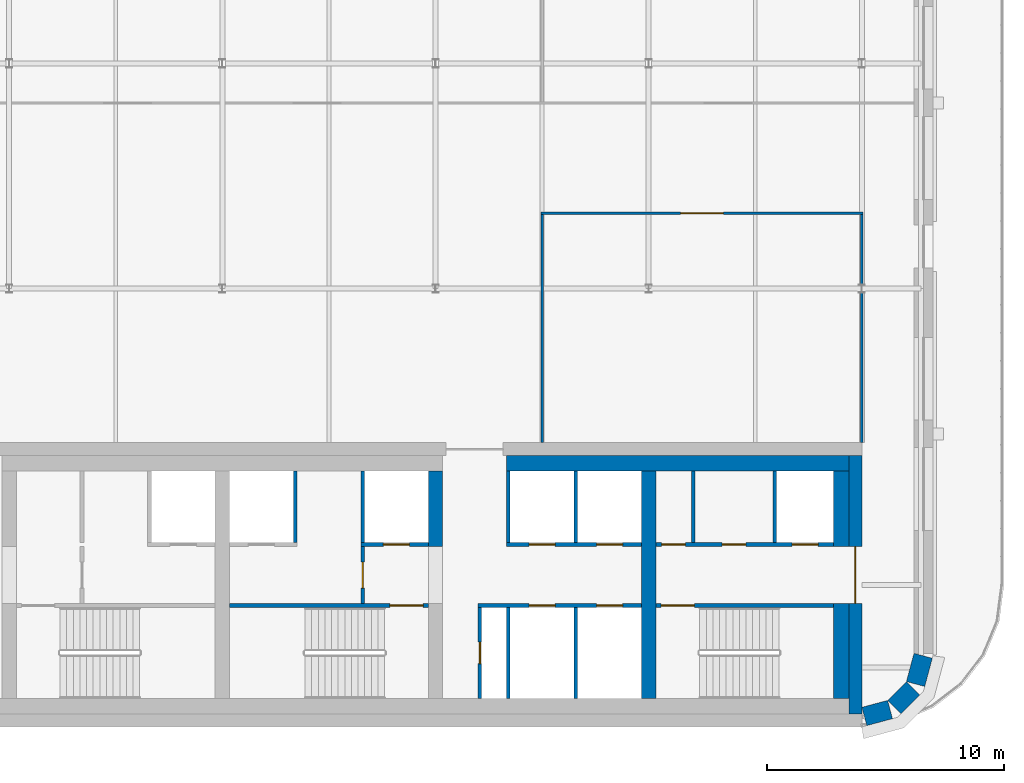
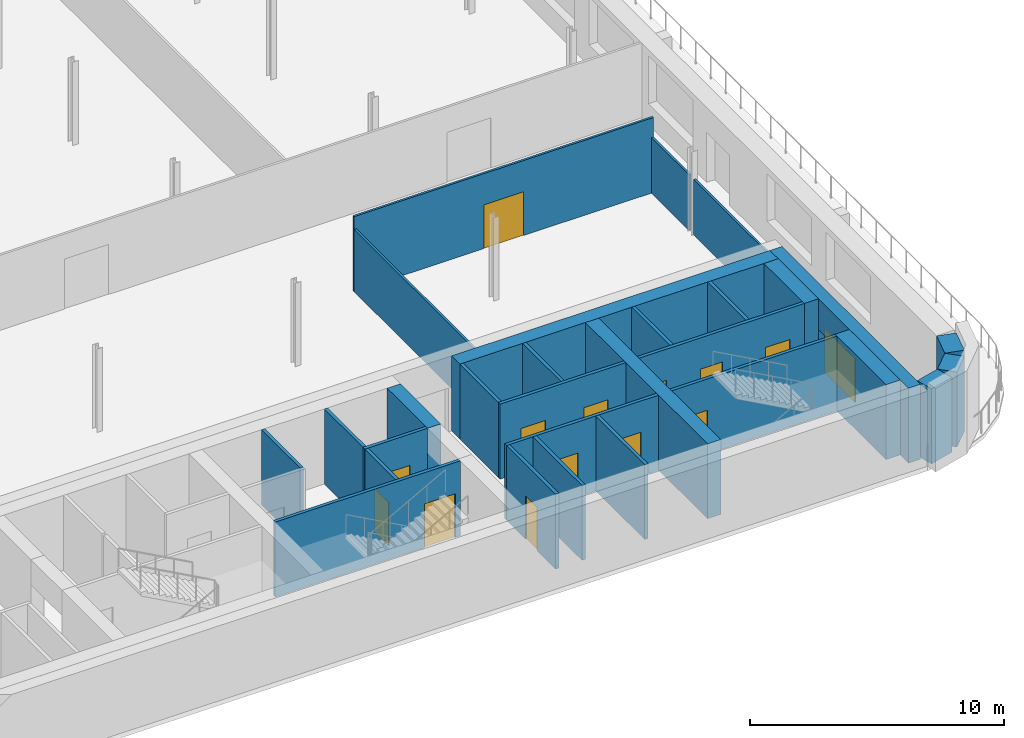
# One storey, part 8 of 13: 29 walls, 14 doors, 14 openings.
"""IFC4 building model written with IfcOpenShell, lengths in metres."""

import ifcopenshell
import ifcopenshell.guid

model = None  # the IFC model being written
_history = None  # IfcOwnerHistory: only IFC2X3 demands one
_inside = {}  # id of a spatial element -> (the spatial element, [elements in it])
_under = {}  # id of a project, library or spatial element -> (it, [spatial elements below it])
_declared = {}  # id of a project -> (the project, [libraries it declares])
_typed = {}  # id of a type object -> (the type object, [elements of that type])
_made_of = {}  # id of a material, layer set ... -> (it, [elements and type objects made of it])


def new_model(schema):
    """Start an empty IFC model of exactly this schema.

    Asked for "IFC4X3", IfcOpenShell would pick the latest addendum, in which some entities
    have other attributes; the version numbers below select the first issue.
    IFC2X3 requires an IfcOwnerHistory on every rooted entity: one is made here for all.
    """
    global model, _history
    if schema == "IFC4X3":
        model = ifcopenshell.file(schema_version=(4, 3, 0, 0))
    else:
        model = ifcopenshell.file(schema=schema)
    _inside.clear()
    _under.clear()
    _declared.clear()
    _typed.clear()
    _made_of.clear()
    _history = None
    if model.schema == "IFC2X3":
        org = make("IfcOrganization", Name="unknown")
        user = make(
            "IfcPersonAndOrganization",
            ThePerson=make("IfcPerson", FamilyName="unknown"),
            TheOrganization=org,
        )
        app = make(
            "IfcApplication",
            ApplicationDeveloper=org,
            Version="unknown",
            ApplicationFullName="unknown",
            ApplicationIdentifier="unknown",
        )
        _history = make(
            "IfcOwnerHistory",
            OwningUser=user,
            OwningApplication=app,
            ChangeAction="ADDED",
            CreationDate=0,
        )
    return model


def make(cls, **values):
    """One entity of the class cls with the attributes given. An attribute that is None is left unset."""
    return model.create_entity(
        cls, **{name: value for name, value in values.items() if value is not None}
    )


def rooted(cls, **values):
    """An entity with a GlobalId (a new one), such as an element, a storey or a relation."""
    return make(cls, GlobalId=ifcopenshell.guid.new(), OwnerHistory=_history, **values)


def si_unit(unit_type, name, prefix=None):
    """IfcSIUnit, for example si_unit("LENGTHUNIT", "METRE", prefix="MILLI")."""
    return make("IfcSIUnit", UnitType=unit_type, Prefix=prefix, Name=name)


def assignment(units):
    """IfcUnitAssignment: the units of a project."""
    return None if units is None else make("IfcUnitAssignment", Units=units)


def point(xyz):
    """IfcCartesianPoint."""
    return None if xyz is None else make("IfcCartesianPoint", Coordinates=xyz)


def direction(xyz):
    """IfcDirection."""
    return None if xyz is None else make("IfcDirection", DirectionRatios=xyz)


def frame(location, z_axis=None, x_axis=None):
    """IfcAxis2Placement3D, a coordinate frame: its origin and axes. An axis left out is left unset."""
    return make(
        "IfcAxis2Placement3D",
        Location=point(location),
        Axis=direction(z_axis),
        RefDirection=direction(x_axis),
    )


def frame_2d(location, x_axis=None):
    """IfcAxis2Placement2D, a coordinate frame in the plane: its origin and x axis."""
    return make(
        "IfcAxis2Placement2D", Location=point(location), RefDirection=direction(x_axis)
    )


def origin():
    """The frame at (0, 0, 0) with its axes left unset."""
    return frame((0.0, 0.0, 0.0))


def place(relative_to, where):
    """IfcLocalPlacement: puts the frame where relative to a parent placement (None: the world)."""
    return make(
        "IfcLocalPlacement", PlacementRelTo=relative_to, RelativePlacement=where
    )


def context(
    kind, dimensions, precision=None, world=None, true_north=None, identifier=None
):
    """IfcGeometricRepresentationContext, for example the 3D "Model" context."""
    return make(
        "IfcGeometricRepresentationContext",
        ContextIdentifier=identifier,
        ContextType=kind,
        CoordinateSpaceDimension=dimensions,
        Precision=precision,
        WorldCoordinateSystem=world,
        TrueNorth=true_north,
    )


def subcontext(parent, identifier, kind, view, scale=None):
    """IfcGeometricRepresentationSubContext, for example "Body" below "Model"."""
    return make(
        "IfcGeometricRepresentationSubContext",
        ContextIdentifier=identifier,
        ContextType=kind,
        ParentContext=parent,
        TargetScale=scale,
        TargetView=view,
    )


def project(units=None, contexts=None):
    """IfcProject with its units and contexts."""
    return rooted(
        "IfcProject",
        Name="project",
        RepresentationContexts=contexts,
        UnitsInContext=assignment(units),
    )


def spatial(cls, under=None, at=None, **own):
    """A site, building, storey or space (cls), placed at a placement, below another one or the project."""
    s = rooted(cls, ObjectPlacement=at, **own)
    if under is not None:
        _under.setdefault(under.id(), (under, []))[1].append(s)
    return s


def profile(cls, at=None, kind="AREA", **sizes):
    """A parametric profile (cls). Its sizes go by their IFC names, for example OverallWidth=200.0."""
    return make(cls, ProfileType=kind, Position=at, **sizes)


def rectangle(**sizes):
    """IfcRectangleProfileDef."""
    return profile("IfcRectangleProfileDef", **sizes)


def extrude(swept, where, along, depth):
    """IfcExtrudedAreaSolid: the profile swept, set in the frame where, extruded along a direction by depth."""
    return make(
        "IfcExtrudedAreaSolid",
        SweptArea=swept,
        Position=where,
        ExtrudedDirection=direction(along),
        Depth=depth,
    )


def shape(context_of_items, identifier, shape_type, items):
    """IfcShapeRepresentation: the items that make up one representation, for example the "Body"."""
    return make(
        "IfcShapeRepresentation",
        ContextOfItems=context_of_items,
        RepresentationIdentifier=identifier,
        RepresentationType=shape_type,
        Items=items,
    )


def material(Name=None, Category=None):
    """IfcMaterial."""
    return make("IfcMaterial", Name=Name, Category=Category)


def layer(
    of_material, thickness, ventilated=None, Name=None, Category=None, Priority=None
):
    """IfcMaterialLayer: one layer of a wall or slab, of a material (None: an air gap)."""
    return make(
        "IfcMaterialLayer",
        Material=of_material,
        LayerThickness=thickness,
        IsVentilated=ventilated,
        Name=Name,
        Category=Category,
        Priority=Priority,
    )


def layer_set(layers, Name=None):
    """IfcMaterialLayerSet."""
    return make("IfcMaterialLayerSet", MaterialLayers=layers, LayerSetName=Name)


def made_of(thing, what):
    """Note that an element or type object is made of a material, layer set ...; save() writes the relation."""
    if what is not None:
        _made_of.setdefault(what.id(), (what, []))[1].append(thing)
    return thing


def type_object(cls, material=None, **own):
    """A type object (cls), such as IfcWallType, which elements share."""
    return made_of(rooted(cls, **own), material)


def element(
    cls,
    number,
    at=None,
    inside=None,
    cuts=None,
    type_object=None,
    material=None,
    context=None,
    identifier="Body",
    shape_type=None,
    held_by="IfcProductDefinitionShape",
    body=None,
    shapes=None,
    **own,
):
    """One element of the class cls, such as IfcWall. Its Tag is "e" and its number.

    at: its placement. inside: the storey or other place that contains it. cuts: it is an
    opening in that element (IfcRelVoidsElement). A single representation is given by context,
    identifier, shape_type and body (its items); several are given by shapes. held_by: the class
    of the entity that holds the representations. save() writes the other relations.
    """
    e = rooted(cls, Tag="e%d" % number, ObjectPlacement=at, **own)
    if body is not None:
        shapes = [shape(context, identifier, shape_type, body)]
    if shapes is not None:
        e.Representation = make(held_by, Representations=shapes)
    if inside is not None:
        _inside.setdefault(inside.id(), (inside, []))[1].append(e)
    if cuts is not None:
        rooted(
            "IfcRelVoidsElement", RelatingBuildingElement=cuts, RelatedOpeningElement=e
        )
    if type_object is not None:
        _typed.setdefault(type_object.id(), (type_object, []))[1].append(e)
    return made_of(e, material)


def fill(opening, filler):
    """IfcRelFillsElement: the door or window that sits in an opening."""
    return rooted(
        "IfcRelFillsElement",
        RelatingOpeningElement=opening,
        RelatedBuildingElement=filler,
    )


def aggregate(whole, parts):
    """IfcRelAggregates: a whole, such as a stair, and the parts it consists of."""
    return rooted("IfcRelAggregates", RelatingObject=whole, RelatedObjects=parts)


def save(model, path):
    """Write the relations noted so far, then the file.

    IfcRelAggregates (storeys below a building ...), IfcRelContainedInSpatialStructure (elements
    in a storey), IfcRelDefinesByType, IfcRelAssociatesMaterial and IfcRelDeclares: one each for
    every whole, place, type object, material and project.
    """
    for whole, parts in _under.values():
        aggregate(whole, parts)
    for where, things in _inside.values():
        rooted(
            "IfcRelContainedInSpatialStructure",
            RelatedElements=things,
            RelatingStructure=where,
        )
    for kind, things in _typed.values():
        rooted("IfcRelDefinesByType", RelatedObjects=things, RelatingType=kind)
    for what, things in _made_of.values():
        rooted("IfcRelAssociatesMaterial", RelatedObjects=things, RelatingMaterial=what)
    for by, libraries in _declared.values():
        rooted("IfcRelDeclares", RelatingContext=by, RelatedDefinitions=libraries)
    model.write(path)


model = new_model("IFC4")

# Units and contexts
model_context = context("Model", 3, precision=1e-05, world=origin(), true_north=direction((0.0, 1.0)))
body_context = subcontext(model_context, "Body", "Model", "MODEL_VIEW")
ifc_project = project(units=[si_unit("LENGTHUNIT", "METRE"), si_unit("AREAUNIT", "SQUARE_METRE"), si_unit("VOLUMEUNIT", "CUBIC_METRE"), si_unit("PLANEANGLEUNIT", "RADIAN"), si_unit("MASSUNIT", "GRAM", prefix="KILO")], contexts=[model_context])

# Site, building, storey
site_placement = place(None, origin())
site = spatial("IfcSite", under=ifc_project, at=site_placement, CompositionType="ELEMENT")
building_placement = place(site_placement, origin())
building = spatial("IfcBuilding", under=site, at=building_placement, Name="Zellij Exchange Tower", CompositionType="ELEMENT")
storey_placement = place(building_placement, frame((0.0, 0.0, 292.5)))
storey = spatial("IfcBuildingStorey", under=building, at=storey_placement, Name="L69", CompositionType="ELEMENT", Elevation=292.5)

# Walls
ifc_material_1 = material(Name="Concrete C50/60", Category="concrete")
ifc_layer_1 = layer(ifc_material_1, 0.60009765625)
ifc_layer_set_1 = layer_set([ifc_layer_1], Name="Concrete C50/60")
wall_type_1 = type_object("IfcWallType", Name="CORE-CW 600 C50/60", PredefinedType="SHEAR", material=ifc_layer_set_1)
wall_1_placement = place(storey_placement, frame((9.0, -6.375, 0.0), z_axis=(0.0, 0.0, 1.0), x_axis=(0.0, 1.0, 0.0)))
element("IfcWall", 1, at=wall_1_placement, inside=storey, type_object=wall_type_1, Name="Core cross wall pier x 9 b L69", PredefinedType="SHEAR", context=body_context, shape_type="SweptSolid", body=[
    extrude(rectangle(XDim=3.175048828125, YDim=0.60009765625, at=frame_2d((1.58740234375, 0.0))), origin(), (0.0, 0.0, 1.0), 3.60009765625),
])
wall_2_placement = place(storey_placement, frame((18.0, -12.800048828125, 0.0), z_axis=(0.0, 0.0, 1.0), x_axis=(0.0, 1.0, 0.0)))
element("IfcWall", 2, at=wall_2_placement, inside=storey, type_object=wall_type_1, Name="Core cross wall x 18 L69", PredefinedType="SHEAR", context=body_context, shape_type="SweptSolid", body=[
    extrude(rectangle(XDim=9.60009765625, YDim=0.60009765625, at=frame_2d((4.800048828125, 0.0))), origin(), (0.0, 0.0, 1.0), 3.60009765625),
])
ifc_material_2 = material(Name="Concrete C30/37", Category="concrete")
ifc_layer_2 = layer(ifc_material_2, 0.64990234375)
ifc_layer_set_2 = layer_set([ifc_layer_2], Name="Concrete C30/37")
wall_type_2 = type_object("IfcWallType", Name="CORE-LW 650 C30/37", PredefinedType="SHEAR", material=ifc_layer_set_2)
wall_3_placement = place(storey_placement, frame((12.0, -2.875, 0.0), z_axis=(0.0, 0.0, 1.0), x_axis=(1.0, 0.0, 0.0)))
element("IfcWall", 3, at=wall_3_placement, inside=storey, type_object=wall_type_2, Name="Core wall lining front.2 L69", PredefinedType="SHEAR", context=body_context, shape_type="SweptSolid", body=[
    extrude(rectangle(XDim=14.449951171875, YDim=0.64990234375, at=frame_2d((7.22509765625, 0.0))), origin(), (0.0, 0.0, 1.0), 3.60009765625),
])
wall_4_placement = place(storey_placement, frame((26.125, -12.800048828125, 0.0), z_axis=(0.0, 0.0, 1.0), x_axis=(0.0, 1.0, 0.0)))
element("IfcWall", 4, at=wall_4_placement, inside=storey, type_object=wall_type_2, Name="Core wall lining end e.0 L69", PredefinedType="SHEAR", context=body_context, shape_type="SweptSolid", body=[
    extrude(rectangle(XDim=4.0, YDim=0.64990234375, at=frame_2d((2.0, 0.0))), origin(), (0.0, 0.0, 1.0), 3.60009765625),
])
wall_5_placement = place(storey_placement, frame((26.125, -6.375, 0.0), z_axis=(0.0, 0.0, 1.0), x_axis=(0.0, 1.0, 0.0)))
element("IfcWall", 5, at=wall_5_placement, inside=storey, type_object=wall_type_2, Name="Core wall lining end e.1 L69", PredefinedType="SHEAR", context=body_context, shape_type="SweptSolid", body=[
    extrude(rectangle(XDim=3.175048828125, YDim=0.64990234375, at=frame_2d((1.58740234375, 0.0))), origin(), (0.0, 0.0, 1.0), 3.60009765625),
])

# Wall, opening, door
ifc_material_3 = material(Name="Gypsum shaft wall system")
ifc_layer_3 = layer(ifc_material_3, 0.14990234375)
ifc_layer_set_3 = layer_set([ifc_layer_3], Name="Gypsum shaft wall system")
wall_type_3 = type_object("IfcWallType", Name="CORE-PW 150 Firefighting lobby wall", PredefinedType="PARTITIONING", material=ifc_layer_set_3)
wall_6_placement = place(storey_placement, frame((5.925048828125, -8.800048828125, 0.0), z_axis=(0.0, 0.0, 1.0), x_axis=(0.0, 1.0, 0.0)))
wall_6 = element("IfcWall", 6, at=wall_6_placement, inside=storey, type_object=wall_type_3, Name="Firefighting lobby wall L69", PredefinedType="PARTITIONING", context=body_context, shape_type="SweptSolid", body=[
    extrude(rectangle(XDim=2.425048828125, YDim=0.14990234375, at=frame_2d((1.21240234375, 0.0))), origin(), (0.0, 0.0, 1.0), 3.60009765625),
])
opening_1_placement = place(wall_6_placement, frame((0.662109375, 0.0, 0.0)))
opening_1 = element("IfcOpeningElement", 7, at=opening_1_placement, cuts=wall_6, Name="Opening CA-36.13", PredefinedType="OPENING", context=body_context, shape_type="SweptSolid", body=[
    extrude(rectangle(XDim=1.10009765625, YDim=2.10009765625, at=frame_2d((0.550048828125, 1.050048828125))), frame((0.0, 0.0869140625, 0.0), z_axis=(0.0, -1.0, 0.0), x_axis=(1.0, 0.0, 0.0)), (0.0, 0.0, 1.0), 0.173828125),
])
ifc_material_4 = material(Name="Hollow metal fire door")
door_type_1 = type_object("IfcDoorType", Name="CORE-D F Firefighting lobby door 1100x2100 1 HR", OperationType="NOTDEFINED", PredefinedType="DOOR", material=ifc_material_4)
door_1_placement = place(opening_1_placement, origin())
door_1 = element("IfcDoor", 8, at=door_1_placement, inside=storey, type_object=door_type_1, Name="Firefighting lobby door CA-36.13", OperationType="SINGLE_SWING_RIGHT", OverallHeight=2.10009765625, OverallWidth=1.10009765625, PredefinedType="DOOR", context=body_context, shape_type="SweptSolid", body=[
    extrude(rectangle(XDim=1.10009765625, YDim=2.10009765625, at=frame_2d((0.550048828125, 1.050048828125))), frame((0.0, 0.02490234375, 0.0), z_axis=(0.0, -1.0, 0.0), x_axis=(1.0, 0.0, 0.0)), (0.0, 0.0, 1.0), 0.050048828125),
])
fill(opening_1, door_1)

# Wall
ifc_material_5 = material(Name="Gypsum board partition")
ifc_layer_4 = layer(ifc_material_5, 0.14990234375)
ifc_layer_set_4 = layer_set([ifc_layer_4], Name="Gypsum board partition")
wall_type_4 = type_object("IfcWallType", Name="CORE-PW 150 Lift lobby wall", PredefinedType="PARTITIONING", material=ifc_layer_set_4)
wall_7_placement = place(storey_placement, frame((19.875, -6.22509765625, 0.0), z_axis=(0.0, 0.0, 1.0), x_axis=(0.0, 1.0, 0.0)))
element("IfcWall", 9, at=wall_7_placement, inside=storey, type_object=wall_type_4, Name="Lift lobby wall L69", PredefinedType="PARTITIONING", context=body_context, shape_type="SweptSolid", body=[
    extrude(rectangle(XDim=3.025146484375, YDim=0.14990234375, at=frame_2d((1.5126953125, 0.0))), origin(), (0.0, 0.0, 1.0), 3.60009765625),
])

# Wall, opening, door
wall_8_placement = place(storey_placement, frame((10.875, -12.800048828125, 0.0), z_axis=(0.0, 0.0, 1.0), x_axis=(0.0, 1.0, 0.0)))
wall_8 = element("IfcWall", 10, at=wall_8_placement, inside=storey, type_object=wall_type_4, Name="Lift lobby wall L69", PredefinedType="PARTITIONING", context=body_context, shape_type="SweptSolid", body=[
    extrude(rectangle(XDim=3.85009765625, YDim=0.14990234375, at=frame_2d((1.925048828125, 0.0))), origin(), (0.0, 0.0, 1.0), 3.60009765625),
])
opening_2_placement = place(wall_8_placement, frame((1.47509765625, 0.0, 0.0)))
opening_2 = element("IfcOpeningElement", 11, at=opening_2_placement, cuts=wall_8, Name="Opening CA-36.17", PredefinedType="OPENING", context=body_context, shape_type="SweptSolid", body=[
    extrude(rectangle(XDim=0.89990234375, YDim=2.10009765625, at=frame_2d((0.449951171875, 1.050048828125))), frame((0.0, 0.0869140625, 0.0), z_axis=(0.0, -1.0, 0.0), x_axis=(1.0, 0.0, 0.0)), (0.0, 0.0, 1.0), 0.173828125),
])
door_type_2 = type_object("IfcDoorType", Name="CORE-D RD Riser door 900x2100 1.5 HR", OperationType="NOTDEFINED", PredefinedType="DOOR", material=ifc_material_4)
door_2_placement = place(opening_2_placement, origin())
door_2 = element("IfcDoor", 12, at=door_2_placement, inside=storey, type_object=door_type_2, Name="Riser door CA-36.17", OperationType="SINGLE_SWING_LEFT", OverallHeight=2.10009765625, OverallWidth=0.89990234375, PredefinedType="DOOR", context=body_context, shape_type="SweptSolid", body=[
    extrude(rectangle(XDim=0.89990234375, YDim=2.10009765625, at=frame_2d((0.449951171875, 1.050048828125))), frame((0.0, 0.02490234375, 0.0), z_axis=(0.0, -1.0, 0.0), x_axis=(1.0, 0.0, 0.0)), (0.0, 0.0, 1.0), 0.050048828125),
])
fill(opening_2, door_2)

# Walls
ifc_layer_5 = layer(ifc_material_3, 0.14990234375)
ifc_layer_set_5 = layer_set([ifc_layer_5], Name="Gypsum shaft wall system")
wall_type_5 = type_object("IfcWallType", Name="CORE-PW 150 Lift shaft wall", PredefinedType="PARTITIONING", material=ifc_layer_set_5)
for number, where, z_axis, x_axis, name in (
    (13, (3.074951171875, -6.22509765625, 0.0), (0.0, 0.0, 1.0), (0.0, 1.0, 0.0), "Lift shaft wall L69"),
    (14, (5.925048828125, -6.22509765625, 0.0), (0.0, 0.0, 1.0), (0.0, 1.0, 0.0), "Lift shaft wall L69"),
    (15, (12.074951171875, -6.22509765625, 0.0), (0.0, 0.0, 1.0), (0.0, 1.0, 0.0), "Lift shaft wall L69"),
    (16, (14.925048828125, -6.22509765625, 0.0), (0.0, 0.0, 1.0), (0.0, 1.0, 0.0), "Lift shaft wall L69"),
    (17, (23.324951171875, -6.22509765625, 0.0), (0.0, 0.0, 1.0), (0.0, 1.0, 0.0), "Lift shaft wall L69"),
):
    element("IfcWall", number, at=place(storey_placement, frame(where, z_axis=z_axis, x_axis=x_axis)), inside=storey, type_object=wall_type_5, Name=name, PredefinedType="PARTITIONING", context=body_context, shape_type="SweptSolid", body=[
        extrude(rectangle(XDim=3.025146484375, YDim=0.14990234375, at=frame_2d((1.5126953125, 0.0))), origin(), (0.0, 0.0, 1.0), 3.60009765625),
    ])
for number, where, z_axis, x_axis, name in (
    (18, (12.074951171875, -12.800048828125, 0.0), (0.0, 0.0, 1.0), (0.0, 1.0, 0.0), "Lift shaft wall L69"),
    (19, (14.925048828125, -12.800048828125, 0.0), (0.0, 0.0, 1.0), (0.0, 1.0, 0.0), "Lift shaft wall L69"),
):
    element("IfcWall", number, at=place(storey_placement, frame(where, z_axis=z_axis, x_axis=x_axis)), inside=storey, type_object=wall_type_5, Name=name, PredefinedType="PARTITIONING", context=body_context, shape_type="SweptSolid", body=[
        extrude(rectangle(XDim=3.85009765625, YDim=0.14990234375, at=frame_2d((1.925048828125, 0.0))), origin(), (0.0, 0.0, 1.0), 3.60009765625),
    ])

# Wall, opening, door
wall_9_placement = place(storey_placement, frame((5.85009765625, -6.300048828125, 0.0), z_axis=(0.0, 0.0, 1.0), x_axis=(1.0, 0.0, 0.0)))
wall_9 = element("IfcWall", 20, at=wall_9_placement, inside=storey, type_object=wall_type_5, Name="Lift shaft wall L69", PredefinedType="PARTITIONING", context=body_context, shape_type="SweptSolid", body=[
    extrude(rectangle(XDim=2.849853515625, YDim=0.14990234375, at=frame_2d((1.4248046875, 0.0))), origin(), (0.0, 0.0, 1.0), 3.60009765625),
])
opening_3_placement = place(wall_9_placement, frame((0.949951171875, 0.0, 0.0)))
opening_3 = element("IfcOpeningElement", 21, at=opening_3_placement, cuts=wall_9, Name="Opening CA-36.14", PredefinedType="OPENING", context=body_context, shape_type="SweptSolid", body=[
    extrude(rectangle(XDim=1.10009765625, YDim=2.10009765625, at=frame_2d((0.550048828125, 1.050048828125))), frame((0.0, 0.0869140625, 0.0), z_axis=(0.0, -1.0, 0.0), x_axis=(1.0, 0.0, 0.0)), (0.0, 0.0, 1.0), 0.173828125),
])
door_type_3 = type_object("IfcDoorType", Name="CORE-D LD Lift landing door 1100x2100 1.5 HR", OperationType="NOTDEFINED", PredefinedType="DOOR", material=ifc_material_4)
door_3_placement = place(opening_3_placement, origin())
door_3 = element("IfcDoor", 22, at=door_3_placement, inside=storey, type_object=door_type_3, Name="Lift landing door CA-36.14", OperationType="SLIDING_TO_RIGHT", OverallHeight=2.10009765625, OverallWidth=1.10009765625, PredefinedType="DOOR", context=body_context, shape_type="SweptSolid", body=[
    extrude(rectangle(XDim=1.10009765625, YDim=2.10009765625, at=frame_2d((0.550048828125, 1.050048828125))), frame((0.0, 0.02490234375, 0.0), z_axis=(0.0, -1.0, 0.0), x_axis=(1.0, 0.0, 0.0)), (0.0, 0.0, 1.0), 0.050048828125),
])
fill(opening_3, door_3)

# Wall, openings, doors
wall_10_placement = place(storey_placement, frame((12.0, -6.300048828125, 0.0), z_axis=(0.0, 0.0, 1.0), x_axis=(1.0, 0.0, 0.0)))
wall_10 = element("IfcWall", 23, at=wall_10_placement, inside=storey, type_object=wall_type_5, Name="Lift shaft wall L69", PredefinedType="PARTITIONING", context=body_context, shape_type="SweptSolid", body=[
    extrude(rectangle(XDim=5.699951171875, YDim=0.14990234375, at=frame_2d((2.85009765625, 0.0))), origin(), (0.0, 0.0, 1.0), 3.60009765625),
])
opening_4_placement = place(wall_10_placement, frame((0.949951171875, 0.0, 0.0)))
opening_4 = element("IfcOpeningElement", 24, at=opening_4_placement, cuts=wall_10, Name="Opening CA-36.19", PredefinedType="OPENING", context=body_context, shape_type="SweptSolid", body=[
    extrude(rectangle(XDim=1.10009765625, YDim=2.10009765625, at=frame_2d((0.550048828125, 1.050048828125))), frame((0.0, 0.0869140625, 0.0), z_axis=(0.0, -1.0, 0.0), x_axis=(1.0, 0.0, 0.0)), (0.0, 0.0, 1.0), 0.173828125),
])
opening_5_placement = place(wall_10_placement, frame((3.800048828125, 0.0, 0.0)))
opening_5 = element("IfcOpeningElement", 25, at=opening_5_placement, cuts=wall_10, Name="Opening CA-36.21", PredefinedType="OPENING", context=body_context, shape_type="SweptSolid", body=[
    extrude(rectangle(XDim=1.10009765625, YDim=2.10009765625, at=frame_2d((0.550048828125, 1.050048828125))), frame((0.0, 0.0869140625, 0.0), z_axis=(0.0, -1.0, 0.0), x_axis=(1.0, 0.0, 0.0)), (0.0, 0.0, 1.0), 0.173828125),
])
door_4_placement = place(opening_4_placement, origin())
door_4 = element("IfcDoor", 26, at=door_4_placement, inside=storey, type_object=door_type_3, Name="Lift landing door CA-36.19", OperationType="SLIDING_TO_LEFT", OverallHeight=2.10009765625, OverallWidth=1.10009765625, PredefinedType="DOOR", context=body_context, shape_type="SweptSolid", body=[
    extrude(rectangle(XDim=1.10009765625, YDim=2.10009765625, at=frame_2d((0.550048828125, 1.050048828125))), frame((0.0, 0.02490234375, 0.0), z_axis=(0.0, -1.0, 0.0), x_axis=(1.0, 0.0, 0.0)), (0.0, 0.0, 1.0), 0.050048828125),
])
fill(opening_4, door_4)
door_5_placement = place(opening_5_placement, origin())
door_5 = element("IfcDoor", 27, at=door_5_placement, inside=storey, type_object=door_type_3, Name="Lift landing door CA-36.21", OperationType="SLIDING_TO_LEFT", OverallHeight=2.10009765625, OverallWidth=1.10009765625, PredefinedType="DOOR", context=body_context, shape_type="SweptSolid", body=[
    extrude(rectangle(XDim=1.10009765625, YDim=2.10009765625, at=frame_2d((0.550048828125, 1.050048828125))), frame((0.0, 0.02490234375, 0.0), z_axis=(0.0, -1.0, 0.0), x_axis=(1.0, 0.0, 0.0)), (0.0, 0.0, 1.0), 0.050048828125),
])
fill(opening_5, door_5)

wall_11_placement = place(storey_placement, frame((18.300048828125, -6.300048828125, 0.0), z_axis=(0.0, 0.0, 1.0), x_axis=(1.0, 0.0, 0.0)))
wall_11 = element("IfcWall", 28, at=wall_11_placement, inside=storey, type_object=wall_type_5, Name="Lift shaft wall L69", PredefinedType="PARTITIONING", context=body_context, shape_type="SweptSolid", body=[
    extrude(rectangle(XDim=7.5, YDim=0.14990234375, at=frame_2d((3.75, 0.0))), origin(), (0.0, 0.0, 1.0), 3.60009765625),
])
opening_6_placement = place(wall_11_placement, frame((0.25, 0.0, 0.0)))
opening_6 = element("IfcOpeningElement", 29, at=opening_6_placement, cuts=wall_11, Name="Opening CA-36.22", PredefinedType="OPENING", context=body_context, shape_type="SweptSolid", body=[
    extrude(rectangle(XDim=1.0, YDim=2.10009765625, at=frame_2d((0.5, 1.050048828125))), frame((0.0, 0.0869140625, 0.0), z_axis=(0.0, -1.0, 0.0), x_axis=(1.0, 0.0, 0.0)), (0.0, 0.0, 1.0), 0.173828125),
])
opening_7_placement = place(wall_11_placement, frame((2.800048828125, 0.0, 0.0)))
opening_7 = element("IfcOpeningElement", 30, at=opening_7_placement, cuts=wall_11, Name="Opening CA-36.24", PredefinedType="OPENING", context=body_context, shape_type="SweptSolid", body=[
    extrude(rectangle(XDim=1.0, YDim=2.10009765625, at=frame_2d((0.5, 1.050048828125))), frame((0.0, 0.0869140625, 0.0), z_axis=(0.0, -1.0, 0.0), x_axis=(1.0, 0.0, 0.0)), (0.0, 0.0, 1.0), 0.173828125),
])
opening_8_placement = place(wall_11_placement, frame((5.75, 0.0, 0.0)))
opening_8 = element("IfcOpeningElement", 31, at=opening_8_placement, cuts=wall_11, Name="Opening CA-36.25", PredefinedType="OPENING", context=body_context, shape_type="SweptSolid", body=[
    extrude(rectangle(XDim=1.10009765625, YDim=2.10009765625, at=frame_2d((0.550048828125, 1.050048828125))), frame((0.0, 0.0869140625, 0.0), z_axis=(0.0, -1.0, 0.0), x_axis=(1.0, 0.0, 0.0)), (0.0, 0.0, 1.0), 0.173828125),
])
door_type_4 = type_object("IfcDoorType", Name="CORE-D CD Core room door 1000x2100 1 HR", OperationType="NOTDEFINED", PredefinedType="DOOR", material=ifc_material_4)
door_6_placement = place(opening_6_placement, origin())
door_6 = element("IfcDoor", 32, at=door_6_placement, inside=storey, type_object=door_type_4, Name="Core room door CA-36.22", OperationType="SINGLE_SWING_LEFT", OverallHeight=2.10009765625, OverallWidth=1.0, PredefinedType="DOOR", context=body_context, shape_type="SweptSolid", body=[
    extrude(rectangle(XDim=1.0, YDim=2.10009765625, at=frame_2d((0.5, 1.050048828125))), frame((0.0, 0.02490234375, 0.0), z_axis=(0.0, -1.0, 0.0), x_axis=(1.0, 0.0, 0.0)), (0.0, 0.0, 1.0), 0.050048828125),
])
fill(opening_6, door_6)
door_7_placement = place(opening_7_placement, origin())
door_7 = element("IfcDoor", 33, at=door_7_placement, inside=storey, type_object=door_type_4, Name="Core room door CA-36.24", OperationType="SINGLE_SWING_LEFT", OverallHeight=2.10009765625, OverallWidth=1.0, PredefinedType="DOOR", context=body_context, shape_type="SweptSolid", body=[
    extrude(rectangle(XDim=1.0, YDim=2.10009765625, at=frame_2d((0.5, 1.050048828125))), frame((0.0, 0.02490234375, 0.0), z_axis=(0.0, -1.0, 0.0), x_axis=(1.0, 0.0, 0.0)), (0.0, 0.0, 1.0), 0.050048828125),
])
fill(opening_7, door_7)
door_8_placement = place(opening_8_placement, origin())
door_8 = element("IfcDoor", 34, at=door_8_placement, inside=storey, type_object=door_type_3, Name="Lift landing door CA-36.25", OperationType="SLIDING_TO_LEFT", OverallHeight=2.10009765625, OverallWidth=1.10009765625, PredefinedType="DOOR", context=body_context, shape_type="SweptSolid", body=[
    extrude(rectangle(XDim=1.10009765625, YDim=2.10009765625, at=frame_2d((0.550048828125, 1.050048828125))), frame((0.0, 0.02490234375, 0.0), z_axis=(0.0, -1.0, 0.0), x_axis=(1.0, 0.0, 0.0)), (0.0, 0.0, 1.0), 0.050048828125),
])
fill(opening_8, door_8)

wall_12_placement = place(storey_placement, frame((10.800048828125, -8.875, 0.0), z_axis=(0.0, 0.0, 1.0), x_axis=(1.0, 0.0, 0.0)))
wall_12 = element("IfcWall", 35, at=wall_12_placement, inside=storey, type_object=wall_type_5, Name="Lift shaft wall L69", PredefinedType="PARTITIONING", context=body_context, shape_type="SweptSolid", body=[
    extrude(rectangle(XDim=6.89990234375, YDim=0.14990234375, at=frame_2d((3.449951171875, 0.0))), origin(), (0.0, 0.0, 1.0), 3.60009765625),
])
opening_9_placement = place(wall_12_placement, frame((2.14990234375, 0.0, 0.0)))
opening_9 = element("IfcOpeningElement", 36, at=opening_9_placement, cuts=wall_12, Name="Opening CA-36.18", PredefinedType="OPENING", context=body_context, shape_type="SweptSolid", body=[
    extrude(rectangle(XDim=1.10009765625, YDim=2.10009765625, at=frame_2d((0.550048828125, 1.050048828125))), frame((0.0, 0.0869140625, 0.0), z_axis=(0.0, -1.0, 0.0), x_axis=(1.0, 0.0, 0.0)), (0.0, 0.0, 1.0), 0.173828125),
])
opening_10_placement = place(wall_12_placement, frame((5.0, 0.0, 0.0)))
opening_10 = element("IfcOpeningElement", 37, at=opening_10_placement, cuts=wall_12, Name="Opening CA-36.20", PredefinedType="OPENING", context=body_context, shape_type="SweptSolid", body=[
    extrude(rectangle(XDim=1.10009765625, YDim=2.10009765625, at=frame_2d((0.550048828125, 1.050048828125))), frame((0.0, 0.0869140625, 0.0), z_axis=(0.0, -1.0, 0.0), x_axis=(1.0, 0.0, 0.0)), (0.0, 0.0, 1.0), 0.173828125),
])
door_9_placement = place(opening_9_placement, origin())
door_9 = element("IfcDoor", 38, at=door_9_placement, inside=storey, type_object=door_type_3, Name="Lift landing door CA-36.18", OperationType="SLIDING_TO_RIGHT", OverallHeight=2.10009765625, OverallWidth=1.10009765625, PredefinedType="DOOR", context=body_context, shape_type="SweptSolid", body=[
    extrude(rectangle(XDim=1.10009765625, YDim=2.10009765625, at=frame_2d((0.550048828125, 1.050048828125))), frame((0.0, 0.02490234375, 0.0), z_axis=(0.0, -1.0, 0.0), x_axis=(1.0, 0.0, 0.0)), (0.0, 0.0, 1.0), 0.050048828125),
])
fill(opening_9, door_9)
door_10_placement = place(opening_10_placement, origin())
door_10 = element("IfcDoor", 39, at=door_10_placement, inside=storey, type_object=door_type_3, Name="Lift landing door CA-36.20", OperationType="SLIDING_TO_RIGHT", OverallHeight=2.10009765625, OverallWidth=1.10009765625, PredefinedType="DOOR", context=body_context, shape_type="SweptSolid", body=[
    extrude(rectangle(XDim=1.10009765625, YDim=2.10009765625, at=frame_2d((0.550048828125, 1.050048828125))), frame((0.0, 0.02490234375, 0.0), z_axis=(0.0, -1.0, 0.0), x_axis=(1.0, 0.0, 0.0)), (0.0, 0.0, 1.0), 0.050048828125),
])
fill(opening_10, door_10)

# Wall, opening, door
ifc_layer_6 = layer(ifc_material_1, 0.550048828125)
ifc_layer_set_6 = layer_set([ifc_layer_6], Name="Concrete C50/60")
wall_type_6 = type_object("IfcWallType", Name="CORE-SW 550 C50/60", PredefinedType="SHEAR", material=ifc_layer_set_6)
wall_13_placement = place(storey_placement, frame((26.72509765625, -13.449951171875, 0.0), z_axis=(0.0, 0.0, 1.0), x_axis=(0.0, 1.0, 0.0)))
wall_13 = element("IfcWall", 40, at=wall_13_placement, inside=storey, type_object=wall_type_6, Name="Core shear wall end e L69", PredefinedType="SHEAR", context=body_context, shape_type="SweptSolid", body=[
    extrude(rectangle(XDim=10.89990234375, YDim=0.550048828125, at=frame_2d((5.449951171875, 0.0))), origin(), (0.0, 0.0, 1.0), 3.60009765625),
])
opening_11_placement = place(wall_13_placement, frame((4.662109375, 0.0, 0.0)))
opening_11 = element("IfcOpeningElement", 41, at=opening_11_placement, cuts=wall_13, Name="Opening CA-36.26", PredefinedType="OPENING", context=body_context, shape_type="SweptSolid", body=[
    extrude(rectangle(XDim=2.39990234375, YDim=2.10009765625, at=frame_2d((1.199951171875, 1.050048828125))), frame((0.0, 0.287109375, 0.0), z_axis=(0.0, -1.0, 0.0), x_axis=(1.0, 0.0, 0.0)), (0.0, 0.0, 1.0), 0.573974609375),
])
door_type_5 = type_object("IfcDoorType", Name="CORE-D CE Core entrance door 2400x2100 20 MIN", OperationType="NOTDEFINED", PredefinedType="DOOR", material=ifc_material_4)
door_11_placement = place(opening_11_placement, origin())
door_11 = element("IfcDoor", 42, at=door_11_placement, inside=storey, type_object=door_type_5, Name="Core entrance door CA-36.26", OperationType="DOUBLE_DOOR_SINGLE_SWING", OverallHeight=2.10009765625, OverallWidth=2.39990234375, PredefinedType="DOOR", context=body_context, shape_type="SweptSolid", body=[
    extrude(rectangle(XDim=2.39990234375, YDim=2.10009765625, at=frame_2d((1.199951171875, 1.050048828125))), frame((0.0, 0.02490234375, 0.0), z_axis=(0.0, -1.0, 0.0), x_axis=(1.0, 0.0, 0.0)), (0.0, 0.0, 1.0), 0.050048828125),
])
fill(opening_11, door_11)

ifc_layer_7 = layer(ifc_material_1, 0.14990234375)
ifc_layer_set_7 = layer_set([ifc_layer_7], Name="Concrete C50/60")
wall_type_7 = type_object("IfcWallType", Name="CORE-SWS 150 C50/60", PredefinedType="SHEAR", material=ifc_layer_set_7)
wall_14_placement = place(storey_placement, frame((0.300048828125, -8.875, 0.0), z_axis=(0.0, 0.0, 1.0), x_axis=(1.0, 0.0, 0.0)))
wall_14 = element("IfcWall", 43, at=wall_14_placement, inside=storey, type_object=wall_type_7, Name="Stair enclosure wall L69", PredefinedType="SHEAR", context=body_context, shape_type="SweptSolid", body=[
    extrude(rectangle(XDim=8.39990234375, YDim=0.14990234375, at=frame_2d((4.199951171875, 0.0))), origin(), (0.0, 0.0, 1.0), 3.60009765625),
])
opening_12_placement = place(wall_14_placement, frame((6.77490234375, 0.0, 0.0)))
opening_12 = element("IfcOpeningElement", 44, at=opening_12_placement, cuts=wall_14, Name="Opening CA-36.15", PredefinedType="OPENING", context=body_context, shape_type="SweptSolid", body=[
    extrude(rectangle(XDim=1.39990234375, YDim=2.10009765625, at=frame_2d((0.699951171875, 1.050048828125))), frame((0.0, 0.0869140625, 0.0), z_axis=(0.0, -1.0, 0.0), x_axis=(1.0, 0.0, 0.0)), (0.0, 0.0, 1.0), 0.173828125),
])
door_type_6 = type_object("IfcDoorType", Name="CORE-D SD Stair door 1400x2100 1.5 HR", OperationType="NOTDEFINED", PredefinedType="DOOR", material=ifc_material_4)
door_12_placement = place(opening_12_placement, origin())
door_12 = element("IfcDoor", 45, at=door_12_placement, inside=storey, type_object=door_type_6, Name="Stair door CA-36.15", OperationType="DOUBLE_DOOR_SINGLE_SWING", OverallHeight=2.10009765625, OverallWidth=1.39990234375, PredefinedType="DOOR", context=body_context, shape_type="SweptSolid", body=[
    extrude(rectangle(XDim=1.39990234375, YDim=2.10009765625, at=frame_2d((0.699951171875, 1.050048828125))), frame((0.0, 0.02490234375, 0.0), z_axis=(0.0, -1.0, 0.0), x_axis=(1.0, 0.0, 0.0)), (0.0, 0.0, 1.0), 0.050048828125),
])
fill(opening_12, door_12)

wall_15_placement = place(storey_placement, frame((18.300048828125, -8.875, 0.0), z_axis=(0.0, 0.0, 1.0), x_axis=(1.0, 0.0, 0.0)))
wall_15 = element("IfcWall", 46, at=wall_15_placement, inside=storey, type_object=wall_type_7, Name="Stair enclosure wall L69", PredefinedType="SHEAR", context=body_context, shape_type="SweptSolid", body=[
    extrude(rectangle(XDim=7.5, YDim=0.14990234375, at=frame_2d((3.75, 0.0))), origin(), (0.0, 0.0, 1.0), 3.60009765625),
])
opening_13_placement = place(wall_15_placement, frame((0.22509765625, 0.0, 0.0)))
opening_13 = element("IfcOpeningElement", 47, at=opening_13_placement, cuts=wall_15, Name="Opening CA-36.23", PredefinedType="OPENING", context=body_context, shape_type="SweptSolid", body=[
    extrude(rectangle(XDim=1.39990234375, YDim=2.10009765625, at=frame_2d((0.699951171875, 1.050048828125))), frame((0.0, 0.0869140625, 0.0), z_axis=(0.0, -1.0, 0.0), x_axis=(1.0, 0.0, 0.0)), (0.0, 0.0, 1.0), 0.173828125),
])
door_13_placement = place(opening_13_placement, origin())
door_13 = element("IfcDoor", 48, at=door_13_placement, inside=storey, type_object=door_type_6, Name="Stair door CA-36.23", OperationType="DOUBLE_DOOR_SINGLE_SWING", OverallHeight=2.10009765625, OverallWidth=1.39990234375, PredefinedType="DOOR", context=body_context, shape_type="SweptSolid", body=[
    extrude(rectangle(XDim=1.39990234375, YDim=2.10009765625, at=frame_2d((0.699951171875, 1.050048828125))), frame((0.0, 0.02490234375, 0.0), z_axis=(0.0, -1.0, 0.0), x_axis=(1.0, 0.0, 0.0)), (0.0, 0.0, 1.0), 0.050048828125),
])
fill(opening_13, door_13)

# Walls
ifc_material_6 = material(Name="Precast concrete C40/50", Category="concrete")
ifc_layer_8 = layer(ifc_material_6, 0.800048828125)
ifc_layer_set_8 = layer_set([ifc_layer_8], Name="Precast concrete C40/50")
wall_type_8 = type_object("IfcWallType", Name="ENV-EW1 Precast stone-piered wall 800", PredefinedType="SOLIDWALL", material=ifc_layer_set_8)
wall_16_placement = place(storey_placement, frame((27.1044921875, -13.557861328125, 0.0), z_axis=(0.0, 0.0, 1.0), x_axis=(0.965913121497, 0.258866455379, 0.0)))
element("IfcWall", 49, at=wall_16_placement, inside=storey, type_object=wall_type_8, Name="fac.L69.01", PredefinedType="SOLIDWALL", context=body_context, shape_type="SweptSolid", body=[
    extrude(rectangle(XDim=1.123291015625, YDim=0.800048828125, at=frame_2d((0.5615234375, 0.0))), origin(), (0.0, 0.0, 1.0), 3.60009765625),
])
wall_17_placement = place(storey_placement, frame((28.36865234375, -13.163818359375, 0.0), z_axis=(0.0, 0.0, 1.0), x_axis=(0.707106781187, 0.707106781187, 0.0)))
element("IfcWall", 50, at=wall_17_placement, inside=storey, type_object=wall_type_8, Name="fac.L69.02", PredefinedType="SOLIDWALL", context=body_context, shape_type="SweptSolid", body=[
    extrude(rectangle(XDim=1.12451171875, YDim=0.800048828125, at=frame_2d((0.562255859375, 0.0))), origin(), (0.0, 0.0, 1.0), 3.60009765625),
])
wall_18_placement = place(storey_placement, frame((29.26708984375, -12.189453125, 0.0), z_axis=(0.0, 0.0, 1.0), x_axis=(0.258943885187, 0.965892366842, 0.0)))
element("IfcWall", 51, at=wall_18_placement, inside=storey, type_object=wall_type_8, Name="fac.L69.03", PredefinedType="SOLIDWALL", context=body_context, shape_type="SweptSolid", body=[
    extrude(rectangle(XDim=1.233154296875, YDim=0.800048828125, at=frame_2d((0.61669921875, 0.0))), origin(), (0.0, 0.0, 1.0), 3.60009765625),
])
ifc_material_7 = material(Name="Gypsum board partition on steel studs", Category="steel")
ifc_layer_9 = layer(ifc_material_7, 0.10009765625)
ifc_layer_set_9 = layer_set([ifc_layer_9], Name="Gypsum board partition on steel studs")
wall_type_9 = type_object("IfcWallType", Name="FIT-PARTITION-100", PredefinedType="PARTITIONING", material=ifc_layer_set_9)
wall_19_placement = place(storey_placement, frame((13.5, -2.0, 0.0), z_axis=(0.0, 0.0, 1.0), x_axis=(0.0, 1.0, 0.0)))
element("IfcWall", 52, at=wall_19_placement, inside=storey, type_object=wall_type_9, Name="FIT-PARTITION-100 006", PredefinedType="PARTITIONING", context=body_context, shape_type="SweptSolid", body=[
    extrude(rectangle(XDim=9.6298828125, YDim=0.10009765625, at=frame_2d((4.81494140625, 0.0))), origin(), (0.0, 0.0, 1.0), 2.98779296875),
])
wall_20_placement = place(storey_placement, frame((27.0, -2.0, 0.0), z_axis=(0.0, 0.0, 1.0), x_axis=(0.0, 1.0, 0.0)))
element("IfcWall", 53, at=wall_20_placement, inside=storey, type_object=wall_type_9, Name="FIT-PARTITION-100 007", PredefinedType="PARTITIONING", context=body_context, shape_type="SweptSolid", body=[
    extrude(rectangle(XDim=6.323486328125, YDim=0.10009765625, at=frame_2d((3.16162109375, 0.0))), origin(), (0.0, 0.0, 1.0), 2.667724609375),
])
wall_21_placement = place(storey_placement, frame((27.0, 4.676513671875, 0.0), z_axis=(0.0, 0.0, 1.0), x_axis=(0.0, 1.0, 0.0)))
element("IfcWall", 54, at=wall_21_placement, inside=storey, type_object=wall_type_9, Name="FIT-PARTITION-100 008", PredefinedType="PARTITIONING", context=body_context, shape_type="SweptSolid", body=[
    extrude(rectangle(XDim=2.953369140625, YDim=0.10009765625, at=frame_2d((1.4765625, 0.0))), origin(), (0.0, 0.0, 1.0), 2.667724609375),
])

# Wall, opening, door
wall_22_placement = place(storey_placement, frame((13.449951171875, 7.679931640625, 0.0), z_axis=(0.0, 0.0, 1.0), x_axis=(1.0, 0.0, 0.0)))
wall_22 = element("IfcWall", 55, at=wall_22_placement, inside=storey, type_object=wall_type_9, Name="FIT-PARTITION-100 011", PredefinedType="PARTITIONING", context=body_context, shape_type="SweptSolid", body=[
    extrude(rectangle(XDim=13.60009765625, YDim=0.10009765625, at=frame_2d((6.800048828125, 0.0))), origin(), (0.0, 0.0, 1.0), 3.60009765625),
])
opening_14_placement = place(wall_22_placement, frame((5.89990234375, 0.0, 0.0)))
opening_14 = element("IfcOpeningElement", 56, at=opening_14_placement, cuts=wall_22, Name="Opening EX6.05", PredefinedType="OPENING", context=body_context, shape_type="SweptSolid", body=[
    extrude(rectangle(XDim=1.800048828125, YDim=2.10009765625, at=frame_2d((0.89990234375, 1.050048828125))), frame((0.0, 0.06201171875, 0.0), z_axis=(0.0, -1.0, 0.0), x_axis=(1.0, 0.0, 0.0)), (0.0, 0.0, 1.0), 0.1240234375),
])
ifc_material_8 = material(Name="Timber door set", Category="wood")
door_type_7 = type_object("IfcDoorType", Name="FIT-D3-DOUBLE-1800X2100", OperationType="DOUBLE_DOOR_SINGLE_SWING", PredefinedType="DOOR", material=ifc_material_8)
door_14_placement = place(opening_14_placement, origin())
door_14 = element("IfcDoor", 57, at=door_14_placement, inside=storey, type_object=door_type_7, Name="Door EX6.05", OperationType="DOUBLE_DOOR_SINGLE_SWING", OverallHeight=2.10009765625, OverallWidth=1.800048828125, PredefinedType="DOOR", context=body_context, shape_type="SweptSolid", body=[
    extrude(rectangle(XDim=1.800048828125, YDim=2.10009765625, at=frame_2d((0.89990234375, 1.050048828125))), frame((0.0, 0.02490234375, 0.0), z_axis=(0.0, -1.0, 0.0), x_axis=(1.0, 0.0, 0.0)), (0.0, 0.0, 1.0), 0.050048828125),
])
fill(opening_14, door_14)

save(model, "model.ifc")
